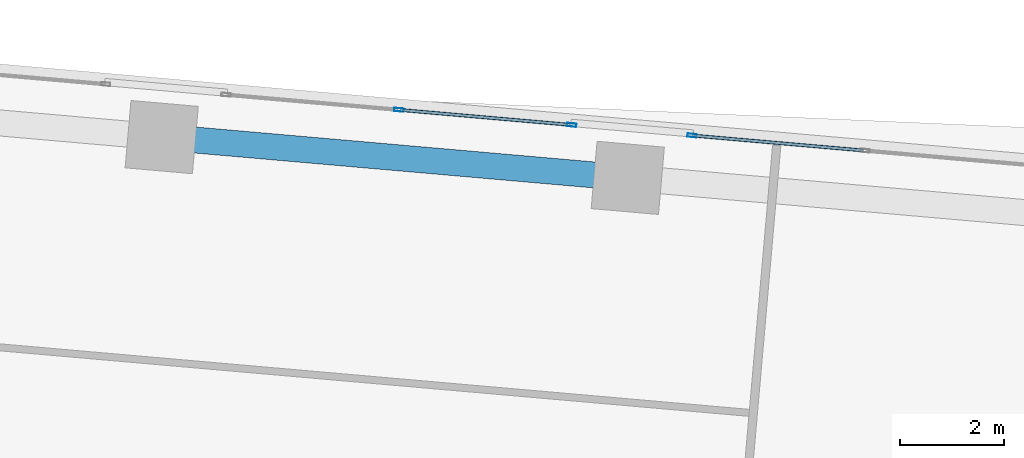
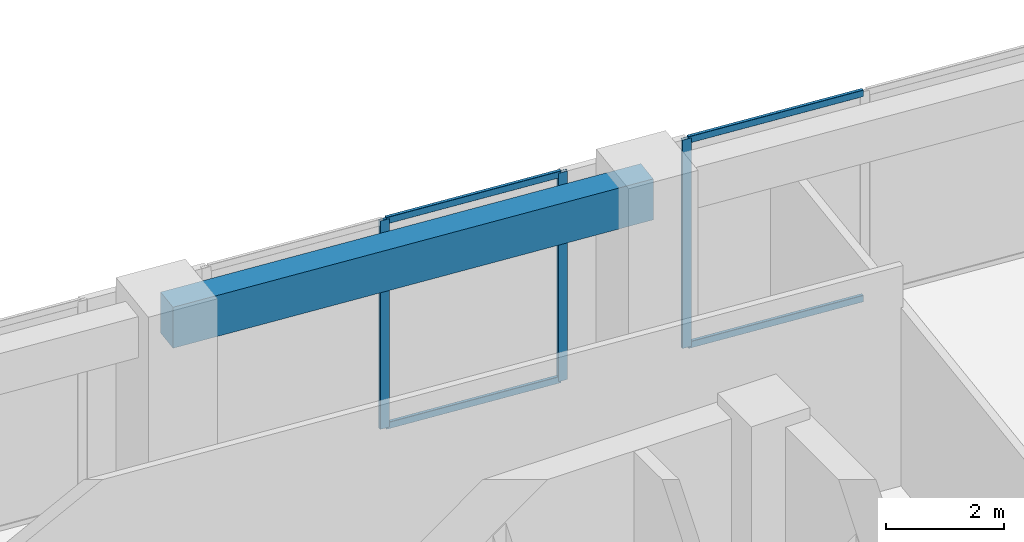
# One storey, part 16 of 24: 7 members, 1 beam, 2 elements without a shape of their own.
"""IFC4 building model written with IfcOpenShell, lengths in metres."""

from ifc_helpers import new_model, si_unit, direction, frame, origin, origin_2d, place, context, subcontext, project, spatial, rectangle, hollow_rectangle, extrude, source, transform, mapped, material, material_profile, profile_set, type_object, element, aggregate, save


model = new_model("IFC4")

# Units and contexts
model_context = context("Model", 3, precision=1e-05, world=origin(), true_north=direction((0.0, 1.0)))
body_context = subcontext(model_context, "Body", "Model", "MODEL_VIEW")
ifc_project = project(units=[si_unit("LENGTHUNIT", "METRE"), si_unit("AREAUNIT", "SQUARE_METRE"), si_unit("VOLUMEUNIT", "CUBIC_METRE"), si_unit("PLANEANGLEUNIT", "RADIAN"), si_unit("MASSUNIT", "GRAM", prefix="KILO")], contexts=[model_context])

# Site, building, storey
site_placement = place(None, origin())
site = spatial("IfcSite", under=ifc_project, at=site_placement, CompositionType="ELEMENT")
building_placement = place(site_placement, origin())
building = spatial("IfcBuilding", under=site, at=building_placement, Name="Torre Montelarca", CompositionType="ELEMENT")
storey_placement = place(building_placement, frame((0.0, 0.0, 47.199951171875)))
storey = spatial("IfcBuildingStorey", under=building, at=storey_placement, Name="L10", CompositionType="ELEMENT", Elevation=47.199951171875)

# Beam
ifc_material_1 = material(Name="Concrete C55/67", Category="concrete")
ifc_material_profile_1 = material_profile(ifc_material_1, rectangle(XDim=0.5, YDim=0.85009765625, at=origin_2d()), Name="RCB500X850", Category="concrete")
ifc_profile_set_1 = profile_set([ifc_material_profile_1], Name="Concrete C55/67")
beam_type = type_object("IfcBeamType", Name="BM-SP-RC850-EXT", PredefinedType="SPANDREL", material=ifc_profile_set_1)
shared_shape_1 = source(origin(), body_context, "Body", "SweptSolid", [
    extrude(rectangle(XDim=0.5, YDim=0.85009765625, at=origin_2d()), origin(), (0.0, 0.0, 1.0), 9.0),
])
beam_placement = place(storey_placement, frame((19.333740234375, 47.3974609375, 4.135009765625), z_axis=(0.996194541889, -0.087157528131, 0.0), x_axis=(0.087157528131, 0.996194541889, 0.0)))
element("IfcBeam", 1, at=beam_placement, inside=storey, type_object=beam_type, Name="L10 Grid Girder X 18.0-27.0 at Y=47.1", PredefinedType="SPANDREL", context=body_context, shape_type="MappedRepresentation", body=[
    mapped(shared_shape_1, transform((0.0, 0.0, 0.0), scale=1.0)),
])

# Curtain wall, member
ifc_material_2 = material(Name="Insulated low-E laminated glass", Category="glass")
curtain_wall_type = type_object("IfcCurtainWallType", Name="CW-SYS-Z1", PredefinedType="USERDEFINED", material=ifc_material_2)
curtain_wall_1_placement = place(storey_placement, origin())
curtain_wall_1 = element("IfcCurtainWall", 2, at=curtain_wall_1_placement, inside=storey, type_object=curtain_wall_type, Name="L10 Curtain Wall Run CW-T3-L10-E08-B2", ObjectType="UNITISED GLAZING", PredefinedType="USERDEFINED")
ifc_material_3 = material(Name="Anodised aluminium AA 6063-T6", Category="aluminium")
ifc_material_profile_2 = material_profile(ifc_material_3, hollow_rectangle(XDim=0.06494140625, YDim=0.179931640625, WallThickness=0.00390625, InnerFilletRadius=0.00390625, OuterFilletRadius=0.008056640625, at=origin_2d()), Name="ALU65X180X4", Category="aluminium")
ifc_profile_set_2 = profile_set([ifc_material_profile_2], Name="Anodised aluminium AA 6063-T6")
member_type_1 = type_object("IfcMemberType", Name="CWM-ALU180", PredefinedType="MULLION", material=ifc_profile_set_2)
shared_shape_2 = source(origin(), body_context, "Body", "SweptSolid", [
    extrude(hollow_rectangle(XDim=0.06494140625, YDim=0.179931640625, WallThickness=0.00390625, InnerFilletRadius=0.00390625, OuterFilletRadius=0.008056640625, at=origin_2d()), origin(), (0.0, 0.0, 1.0), 4.320068359375),
])
member_1_placement = place(storey_placement, frame((29.537841796875, 47.42822265625, 0.0), z_axis=(0.0, 0.0, 1.0), x_axis=(-0.087152042037, -0.996195021855, 0.0)))
member_1 = element("IfcMember", 3, at=member_1_placement, type_object=member_type_1, Name="CW mullion 3", PredefinedType="MULLION", context=body_context, shape_type="MappedRepresentation", body=[
    mapped(shared_shape_2, transform((0.0, 0.0, 0.0), scale=1.0)),
])

# Curtain wall, members
curtain_wall_2_placement = place(storey_placement, origin())
curtain_wall_2 = element("IfcCurtainWall", 4, at=curtain_wall_2_placement, inside=storey, type_object=curtain_wall_type, Name="L10 Curtain Wall Run CW-T3-L10-E08-B3", ObjectType="UNITISED GLAZING", PredefinedType="USERDEFINED")
member_2_placement = place(storey_placement, frame((27.2216796875, 47.630859375, 0.0), z_axis=(0.0, 0.0, 1.0), x_axis=(-0.087150753912, -0.996195134546, 0.0)))
member_2 = element("IfcMember", 5, at=member_2_placement, type_object=member_type_1, Name="CW mullion 1", PredefinedType="MULLION", context=body_context, shape_type="MappedRepresentation", body=[
    mapped(shared_shape_2, transform((0.0, 0.0, 0.0), scale=1.0)),
])
member_3_placement = place(storey_placement, frame((23.896728515625, 47.921630859375, 0.0), z_axis=(0.0, 0.0, 1.0), x_axis=(-0.087150753912, -0.996195134546, 0.0)))
member_3 = element("IfcMember", 6, at=member_3_placement, type_object=member_type_1, Name="CW mullion 2", PredefinedType="MULLION", context=body_context, shape_type="MappedRepresentation", body=[
    mapped(shared_shape_2, transform((0.0, 0.0, 0.0), scale=1.0)),
])

# Member
ifc_material_profile_3 = material_profile(ifc_material_3, hollow_rectangle(XDim=0.06494140625, YDim=0.139892578125, WallThickness=0.00390625, InnerFilletRadius=0.00390625, OuterFilletRadius=0.008056640625, at=origin_2d()), Name="ALU65X140X4", Category="aluminium")
ifc_profile_set_3 = profile_set([ifc_material_profile_3], Name="Anodised aluminium AA 6063-T6")
member_type_2 = type_object("IfcMemberType", Name="CWT-ALU140", PredefinedType="USERDEFINED", material=ifc_profile_set_3)
shared_shape_3 = source(origin(), body_context, "Body", "SweptSolid", [
    extrude(hollow_rectangle(XDim=0.06494140625, YDim=0.139892578125, WallThickness=0.00390625, InnerFilletRadius=0.00390625, OuterFilletRadius=0.008056640625, at=origin_2d()), origin(), (0.0, 0.0, 1.0), 3.2724609375),
])
member_4_placement = place(storey_placement, frame((32.830078125, 47.14013671875, 0.032470703125), z_axis=(-0.996196227428, 0.087138260588, 0.0), x_axis=(-0.087138260588, -0.996196227428, 0.0)))
member_4 = element("IfcMember", 7, at=member_4_placement, type_object=member_type_2, Name="CW transom 2.1", ObjectType="TRANSOM", PredefinedType="USERDEFINED", context=body_context, shape_type="MappedRepresentation", body=[
    mapped(shared_shape_3, transform((0.0, 0.0, 0.0), scale=1.0)),
])

member_5_placement = place(storey_placement, frame((32.830078125, 47.14013671875, 4.28759765625), z_axis=(-0.996196227428, 0.087138260588, 0.0), x_axis=(-0.087138260588, -0.996196227428, 0.0)))
member_5 = element("IfcMember", 8, at=member_5_placement, type_object=member_type_2, Name="CW transom 2.2", ObjectType="TRANSOM", PredefinedType="USERDEFINED", context=body_context, shape_type="MappedRepresentation", body=[
    mapped(shared_shape_3, transform((0.0, 0.0, 0.0), scale=1.0)),
])

aggregate(curtain_wall_1, [member_1, member_4, member_5])

member_6_placement = place(storey_placement, frame((27.189208984375, 47.633544921875, 0.032470703125), z_axis=(-0.996189748525, 0.087212298062, 0.0), x_axis=(-0.087212298062, -0.996189748525, 0.0)))
member_6 = element("IfcMember", 9, at=member_6_placement, type_object=member_type_2, Name="CW transom 1.1", ObjectType="TRANSOM", PredefinedType="USERDEFINED", context=body_context, shape_type="MappedRepresentation", body=[
    mapped(shared_shape_3, transform((0.0, 0.0, 0.0), scale=1.0)),
])

member_7_placement = place(storey_placement, frame((27.189208984375, 47.633544921875, 4.28759765625), z_axis=(-0.996189748525, 0.087212298062, 0.0), x_axis=(-0.087212298062, -0.996189748525, 0.0)))
member_7 = element("IfcMember", 10, at=member_7_placement, type_object=member_type_2, Name="CW transom 1.2", ObjectType="TRANSOM", PredefinedType="USERDEFINED", context=body_context, shape_type="MappedRepresentation", body=[
    mapped(shared_shape_3, transform((0.0, 0.0, 0.0), scale=1.0)),
])

aggregate(curtain_wall_2, [member_2, member_3, member_6, member_7])

save(model, "model.ifc")
